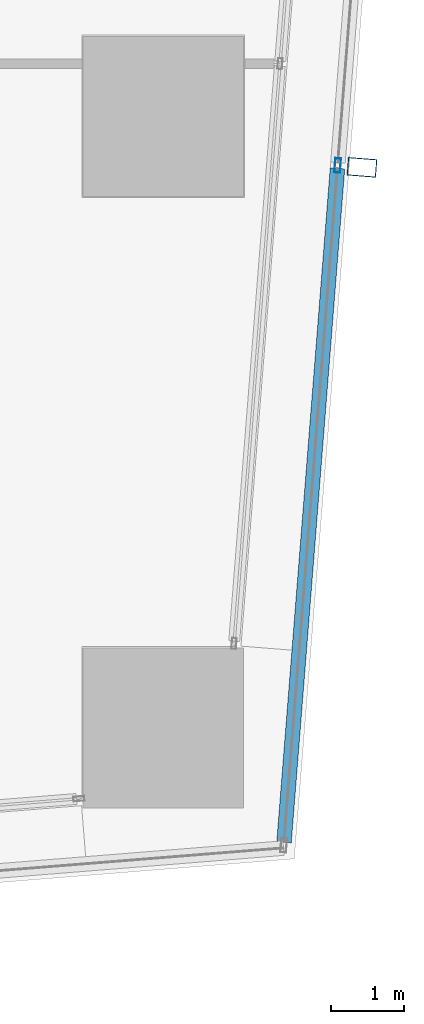
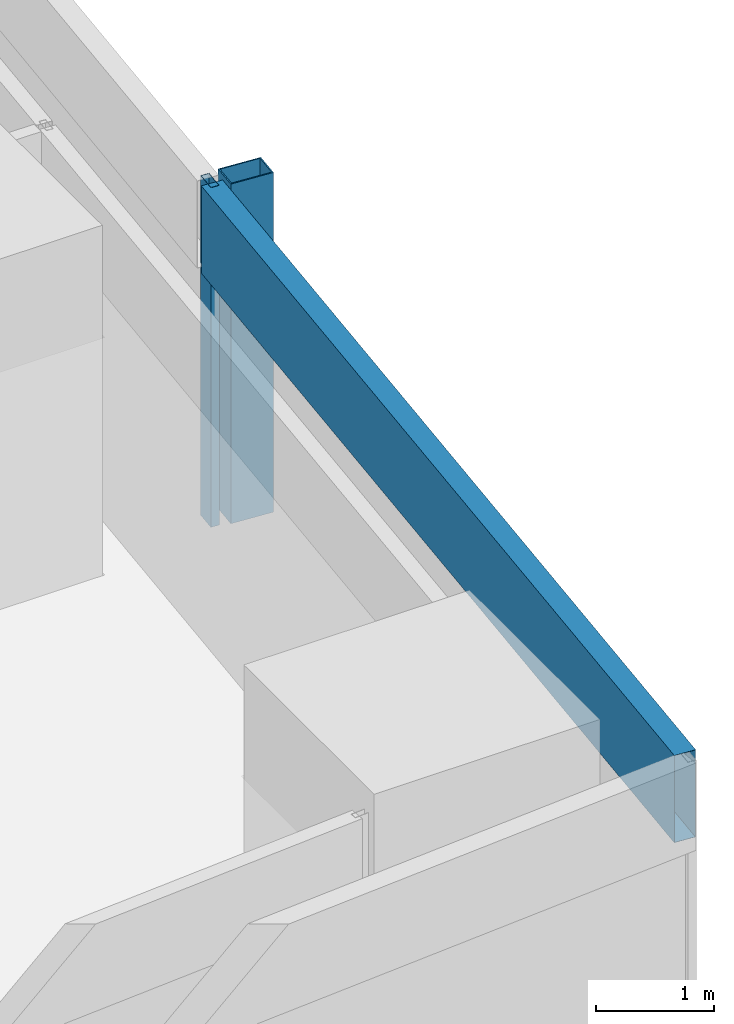
# One storey, part 25 of 44: 3 members, 1 element without a shape of its own.
"""IFC4 building model written with IfcOpenShell, lengths in metres."""

from ifc_helpers import new_model, si_unit, direction, frame, origin, origin_2d, place, context, subcontext, project, spatial, hollow_rectangle, extrude, material, material_profile, profile_set, type_object, element, aggregate, save


model = new_model("IFC4")

# Units and contexts
model_context = context("Model", 3, precision=1e-05, world=origin(), true_north=direction((0.0, 1.0)))
body_context = subcontext(model_context, "Body", "Model", "MODEL_VIEW")
ifc_project = project(units=[si_unit("LENGTHUNIT", "METRE"), si_unit("AREAUNIT", "SQUARE_METRE"), si_unit("VOLUMEUNIT", "CUBIC_METRE"), si_unit("PLANEANGLEUNIT", "RADIAN"), si_unit("MASSUNIT", "GRAM", prefix="KILO")], contexts=[model_context])

# Site, building, storey
site_placement = place(None, origin())
site = spatial("IfcSite", under=ifc_project, at=site_placement, CompositionType="ELEMENT")
building_placement = place(site_placement, origin())
building = spatial("IfcBuilding", under=site, at=building_placement, Name="Rekha Terrace Tower", CompositionType="ELEMENT")
storey_placement = place(building_placement, frame((0.0, 0.0, 59.14990234375)))
storey = spatial("IfcBuildingStorey", under=building, at=storey_placement, Name="L14", CompositionType="ELEMENT", Elevation=59.14990234375)

# Curtain wall, members
ifc_material_1 = material(Name="Aluminium framing", Category="aluminium")
curtain_wall_type = type_object("IfcCurtainWallType", Name="CW2 double skin outer glazing", PredefinedType="USERDEFINED", material=ifc_material_1)
curtain_wall_placement = place(storey_placement, origin())
curtain_wall = element("IfcCurtainWall", 1, at=curtain_wall_placement, inside=storey, type_object=curtain_wall_type, Name="CW2 double skin outer glazing", ObjectType="DOUBLE SKIN OUTER GLAZING", PredefinedType="USERDEFINED")
ifc_material_2 = material(Name="Steel S355 with fluorocarbon finish", Category="steel")
ifc_material_profile_1 = material_profile(ifc_material_2, hollow_rectangle(XDim=0.25, YDim=0.39990234375, WallThickness=0.012451171875, at=origin_2d()), Name="RHS400x250x12.5")
ifc_profile_set_1 = profile_set([ifc_material_profile_1], Name="Steel S355 with fluorocarbon finish")
member_type_1 = type_object("IfcMemberType", Name="BL1 facade blade RHS 400 x 250", PredefinedType="USERDEFINED", material=ifc_profile_set_1)
member_1_placement = place(storey_placement, frame((69.929443359375, 16.099365234375, 0.0), z_axis=(0.0, 0.0, 1.0), x_axis=(0.079116779322, 0.996865354614, 0.0)))
member_1 = element("IfcMember", 2, at=member_1_placement, type_object=member_type_1, Name="Facade blade", ObjectType="FACADE BLADE", PredefinedType="USERDEFINED", context=body_context, shape_type="SweptSolid", body=[
    extrude(hollow_rectangle(XDim=0.25, YDim=0.39990234375, WallThickness=0.012451171875, at=origin_2d()), origin(), (0.0, 0.0, 1.0), 3.5),
])
ifc_material_3 = material(Name="Aluminium mullion section", Category="aluminium")
ifc_material_profile_2 = material_profile(ifc_material_3, hollow_rectangle(XDim=0.080078125, YDim=0.199951171875, WallThickness=0.00390625, at=origin_2d()), Name="AL RHS 80x200")
ifc_profile_set_2 = profile_set([ifc_material_profile_2], Name="Aluminium mullion section")
member_type_2 = type_object("IfcMemberType", Name="CW2 mullion RHS 80 x 200", PredefinedType="MULLION", material=ifc_profile_set_2)
member_2_placement = place(storey_placement, frame((69.595458984375, 16.125732421875, 0.0), z_axis=(0.0, 0.0, 1.0), x_axis=(-0.996865392575, 0.079116301017, 0.0)))
member_2 = element("IfcMember", 3, at=member_2_placement, type_object=member_type_2, Name="CW2 mullion 2", PredefinedType="MULLION", context=body_context, shape_type="SweptSolid", body=[
    extrude(hollow_rectangle(XDim=0.080078125, YDim=0.199951171875, WallThickness=0.00390625, at=origin_2d()), origin(), (0.0, 0.0, 1.0), 3.5),
])
ifc_material_4 = material(Name="Insulated aluminium spandrel box", Category="aluminium")
ifc_material_profile_3 = material_profile(ifc_material_4, hollow_rectangle(XDim=0.199951171875, YDim=0.89990234375, WallThickness=0.0029296875, at=origin_2d()), Name="AL SPANDREL BOX 200x900")
ifc_profile_set_3 = profile_set([ifc_material_profile_3], Name="Insulated aluminium spandrel box")
member_type_3 = type_object("IfcMemberType", Name="CW2 spandrel transom 200 x 900", PredefinedType="USERDEFINED", material=ifc_profile_set_3)
member_3_placement = place(storey_placement, frame((68.857666015625, 6.828369140625, 3.050048828125), z_axis=(0.079104689968, 0.996866314019, 0.0), x_axis=(-0.996866314019, 0.079104689968, 0.0)))
member_3 = element("IfcMember", 4, at=member_3_placement, type_object=member_type_3, Name="CW2 spandrel transom 1", ObjectType="TRANSOM", PredefinedType="USERDEFINED", context=body_context, shape_type="SweptSolid", body=[
    extrude(hollow_rectangle(XDim=0.199951171875, YDim=0.89990234375, WallThickness=0.0029296875, at=origin_2d()), origin(), (0.0, 0.0, 1.0), 9.28662109375),
])
aggregate(curtain_wall, [member_2, member_3, member_1])

save(model, "model.ifc")
